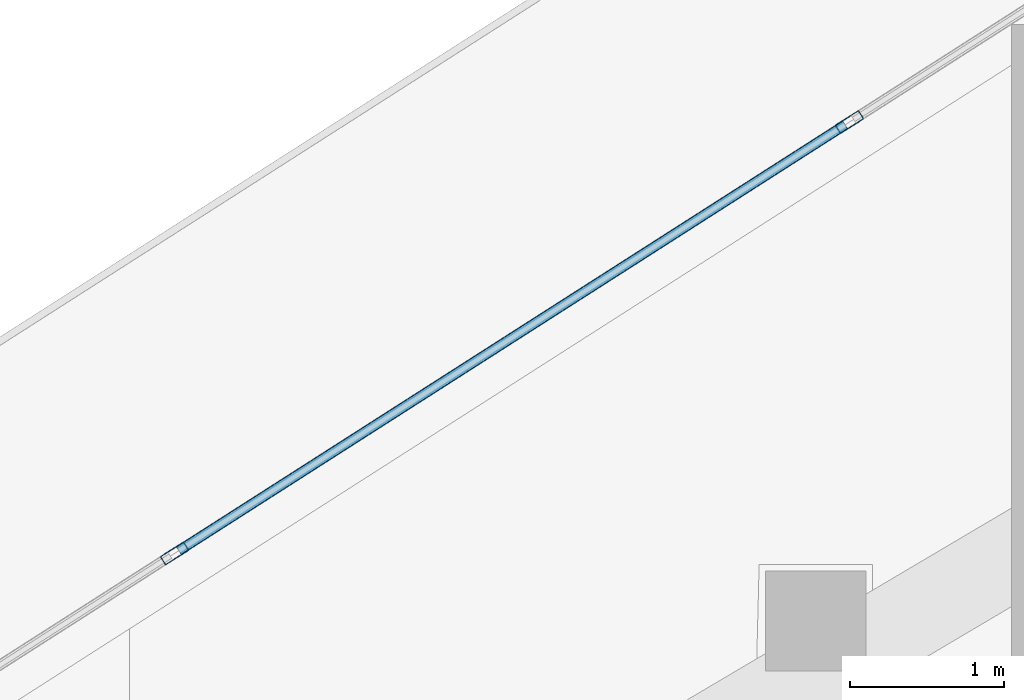
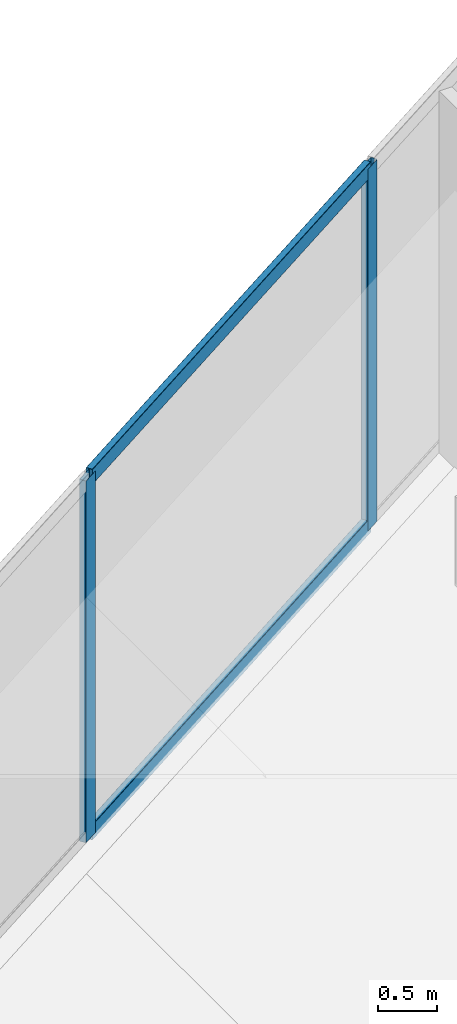
# One storey, part 15 of 36: 4 members, 1 element without a shape of its own.
"""IFC4 building model written with IfcOpenShell, lengths in metres."""

from ifc_helpers import new_model, si_unit, direction, frame, origin, origin_2d, place, context, subcontext, project, spatial, hollow_rectangle, extrude, material, layer, layer_set, material_profile, profile_set, type_object, element, aggregate, save


model = new_model("IFC4")

# Units and contexts
model_context = context("Model", 3, precision=1e-05, world=origin(), true_north=direction((0.0, 1.0)))
body_context = subcontext(model_context, "Body", "Model", "MODEL_VIEW")
ifc_project = project(units=[si_unit("LENGTHUNIT", "METRE"), si_unit("AREAUNIT", "SQUARE_METRE"), si_unit("VOLUMEUNIT", "CUBIC_METRE"), si_unit("PLANEANGLEUNIT", "RADIAN"), si_unit("MASSUNIT", "GRAM", prefix="KILO")], contexts=[model_context])

# Site, building, storey
site_placement = place(None, origin())
site = spatial("IfcSite", under=ifc_project, at=site_placement, CompositionType="ELEMENT")
building_placement = place(site_placement, origin())
building = spatial("IfcBuilding", under=site, at=building_placement, Name="Qorvath Tower", CompositionType="ELEMENT")
storey_placement = place(building_placement, frame((0.0, 0.0, 170.550048828125)))
storey = spatial("IfcBuildingStorey", under=building, at=storey_placement, Name="L39", CompositionType="ELEMENT", Elevation=170.550048828125)

# Curtain wall, members
ifc_material_1 = material(Name="Anodised aluminium and triple low-E glass", Category="aluminium")
ifc_layer = layer(ifc_material_1, 0.179931640625)
ifc_layer_set = layer_set([ifc_layer], Name="CW-SYS-3")
curtain_wall_type = type_object("IfcCurtainWallType", Name="CW-SYS-3", PredefinedType="NOTDEFINED", material=ifc_layer_set)
curtain_wall_placement = place(storey_placement, origin())
curtain_wall = element("IfcCurtainWall", 1, at=curtain_wall_placement, inside=storey, type_object=curtain_wall_type, Name="Curtain Wall CW-3 CW-T-L39-16.2", PredefinedType="NOTDEFINED")
ifc_material_2 = material(Name="Anodised aluminium 6063-T6", Category="aluminium")
ifc_material_profile_1 = material_profile(ifc_material_2, hollow_rectangle(XDim=0.06494140625, YDim=0.179931640625, WallThickness=0.00341796875, InnerFilletRadius=0.00341796875, OuterFilletRadius=0.007080078125, at=origin_2d()), Name="CWM 180x65")
ifc_profile_set_1 = profile_set([ifc_material_profile_1], Name="Anodised aluminium 6063-T6")
member_type_1 = type_object("IfcMemberType", Name="CWM-180", PredefinedType="MULLION", material=ifc_profile_set_1)
member_1_placement = place(storey_placement, frame((-35.762451171875, 16.61669921875, 0.0), z_axis=(0.0, 0.0, 1.0), x_axis=(0.538537129711, -0.842601780156, 0.0)))
member_1 = element("IfcMember", 2, at=member_1_placement, type_object=member_type_1, Name="CW-3 mullion 2", PredefinedType="MULLION", context=body_context, shape_type="SweptSolid", body=[
    extrude(hollow_rectangle(XDim=0.06494140625, YDim=0.179931640625, WallThickness=0.00341796875, InnerFilletRadius=0.00341796875, OuterFilletRadius=0.007080078125, at=origin_2d()), origin(), (0.0, 0.0, 1.0), 3.75),
])
member_2_placement = place(storey_placement, frame((-40.13916015625, 13.8193359375, 0.0), z_axis=(0.0, 0.0, 1.0), x_axis=(0.538537129711, -0.842601780156, 0.0)))
member_2 = element("IfcMember", 3, at=member_2_placement, type_object=member_type_1, Name="CW-3 mullion 3", PredefinedType="MULLION", context=body_context, shape_type="SweptSolid", body=[
    extrude(hollow_rectangle(XDim=0.06494140625, YDim=0.179931640625, WallThickness=0.00341796875, InnerFilletRadius=0.00341796875, OuterFilletRadius=0.007080078125, at=origin_2d()), origin(), (0.0, 0.0, 1.0), 3.75),
])
ifc_material_3 = material(Name="Anodised aluminium 6063-T6", Category="aluminium")
ifc_material_profile_2 = material_profile(ifc_material_3, hollow_rectangle(XDim=0.06494140625, YDim=0.159912109375, WallThickness=0.00341796875, InnerFilletRadius=0.00341796875, OuterFilletRadius=0.007080078125, at=origin_2d()), Name="CWT 160x65")
ifc_profile_set_2 = profile_set([ifc_material_profile_2], Name="Anodised aluminium 6063-T6")
member_type_2 = type_object("IfcMemberType", Name="CWT-160", PredefinedType="USERDEFINED", material=ifc_profile_set_2)
member_3_placement = place(storey_placement, frame((-35.7900390625, 16.59912109375, 0.032470703125), z_axis=(-0.842587659924, -0.538559221761, 0.0), x_axis=(0.538559221761, -0.842587659924, 0.0)))
member_3 = element("IfcMember", 4, at=member_3_placement, type_object=member_type_2, Name="CW-3 transom 2.1", ObjectType="TRANSOM", PredefinedType="USERDEFINED", context=body_context, shape_type="SweptSolid", body=[
    extrude(hollow_rectangle(XDim=0.06494140625, YDim=0.159912109375, WallThickness=0.00341796875, InnerFilletRadius=0.00341796875, OuterFilletRadius=0.007080078125, at=origin_2d()), origin(), (0.0, 0.0, 1.0), 5.12890625),
])
member_4_placement = place(storey_placement, frame((-35.7900390625, 16.59912109375, 3.717529296875), z_axis=(-0.842587659924, -0.538559221761, 0.0), x_axis=(0.538559221761, -0.842587659924, 0.0)))
member_4 = element("IfcMember", 5, at=member_4_placement, type_object=member_type_2, Name="CW-3 transom 2.2", ObjectType="TRANSOM", PredefinedType="USERDEFINED", context=body_context, shape_type="SweptSolid", body=[
    extrude(hollow_rectangle(XDim=0.06494140625, YDim=0.159912109375, WallThickness=0.00341796875, InnerFilletRadius=0.00341796875, OuterFilletRadius=0.007080078125, at=origin_2d()), origin(), (0.0, 0.0, 1.0), 5.12890625),
])
aggregate(curtain_wall, [member_1, member_2, member_3, member_4])

save(model, "model.ifc")
